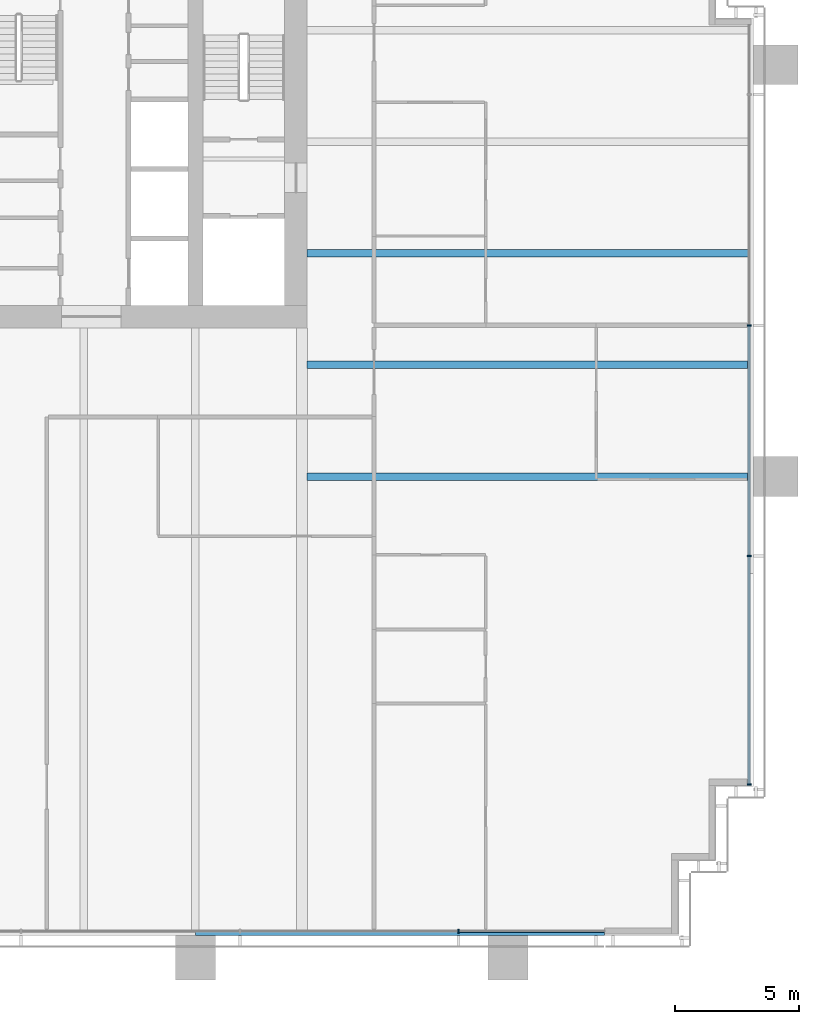
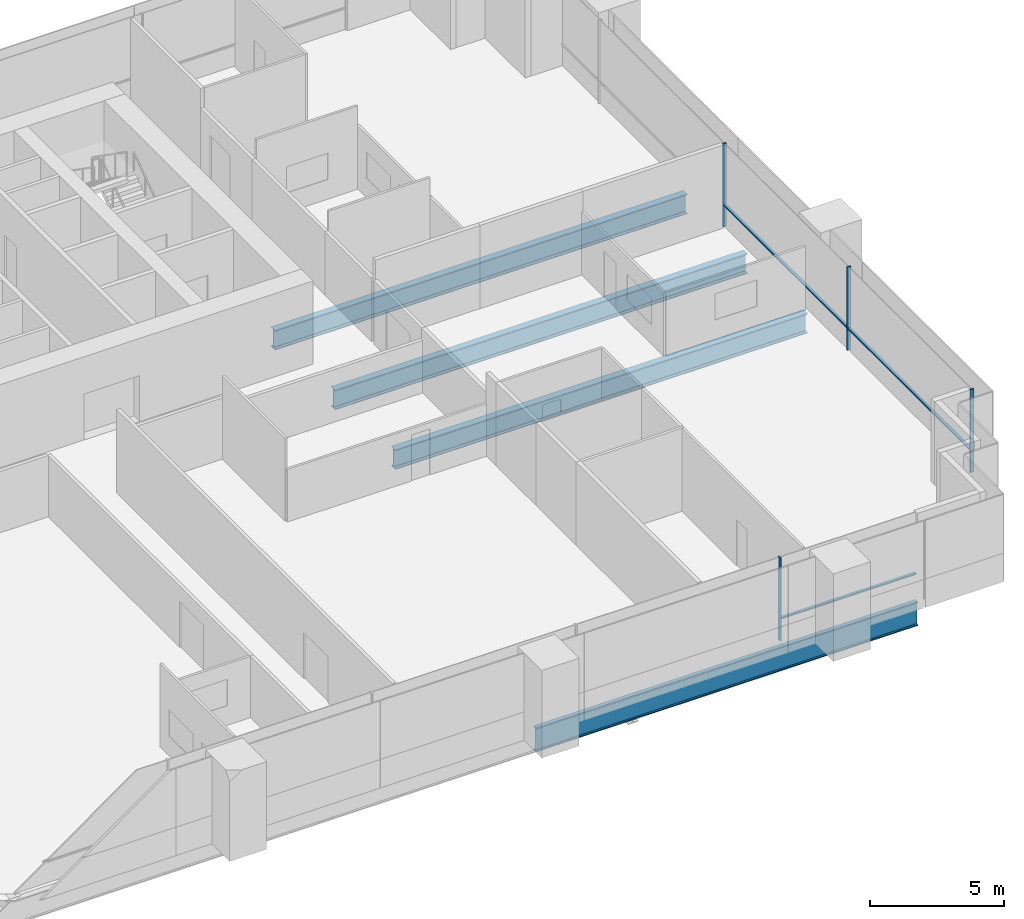
# One storey, part 6 of 19: 7 members, 4 beams, 2 elements without a shape of their own.
"""IFC4 building model written with IfcOpenShell, lengths in metres."""

from ifc_helpers import new_model, si_unit, direction, frame, origin, origin_2d, place, context, subcontext, project, spatial, rectangle, i_section, extrude, material, material_profile, profile_set, type_object, element, aggregate, save


model = new_model("IFC4")

# Units and contexts
model_context = context("Model", 3, precision=1e-05, world=origin(), true_north=direction((0.0, 1.0)))
body_context = subcontext(model_context, "Body", "Model", "MODEL_VIEW")
ifc_project = project(units=[si_unit("LENGTHUNIT", "METRE"), si_unit("AREAUNIT", "SQUARE_METRE"), si_unit("VOLUMEUNIT", "CUBIC_METRE"), si_unit("PLANEANGLEUNIT", "RADIAN"), si_unit("MASSUNIT", "GRAM", prefix="KILO")], contexts=[model_context])

# Site, building, storey
site_placement = place(None, origin())
site = spatial("IfcSite", under=ifc_project, at=site_placement, CompositionType="ELEMENT")
building_placement = place(site_placement, origin())
building = spatial("IfcBuilding", under=site, at=building_placement, Name="Rattan Terrace Tower", CompositionType="ELEMENT")
storey_placement = place(building_placement, frame((0.0, 0.0, 99.699951171875)))
storey = spatial("IfcBuildingStorey", under=building, at=storey_placement, Name="L22", CompositionType="ELEMENT", Elevation=99.699951171875)

# Curtain wall, members
ifc_material_1 = material(Name="Aluminium and glass", Category="aluminium")
curtain_wall_type = type_object("IfcCurtainWallType", Name="Facade Unitised Curtain Wall", PredefinedType="NOTDEFINED", material=ifc_material_1)
curtain_wall_1_placement = place(storey_placement, origin())
curtain_wall_1 = element("IfcCurtainWall", 1, at=curtain_wall_1_placement, inside=storey, type_object=curtain_wall_type, Name="Curtain wall L22-1", PredefinedType="NOTDEFINED")
ifc_material_2 = material(Name="Aluminium", Category="aluminium")
ifc_material_profile_1 = material_profile(ifc_material_2, rectangle(XDim=0.06005859375, YDim=0.159912109375, at=origin_2d()), Name="Aluminium 60x160")
ifc_profile_set_1 = profile_set([ifc_material_profile_1], Name="Aluminium")
member_type_1 = type_object("IfcMemberType", Name="Facade CW Mullion 60x160", PredefinedType="MULLION", material=ifc_profile_set_1)
member_1_placement = place(storey_placement, frame((35.830078125, -25.925048828125, 0.0), z_axis=(0.0, 0.0, 1.0), x_axis=(0.0, 1.0, 0.0)))
member_1 = element("IfcMember", 2, at=member_1_placement, type_object=member_type_1, Name="Mullion cwl-L22-001.1", PredefinedType="MULLION", context=body_context, shape_type="SweptSolid", body=[
    extrude(rectangle(XDim=0.06005859375, YDim=0.159912109375, at=origin_2d()), origin(), (0.0, 0.0, 1.0), 3.800048828125),
])
member_2_placement = place(storey_placement, frame((35.830078125, -16.699951171875, 0.0), z_axis=(0.0, 0.0, 1.0), x_axis=(0.0, 1.0, 0.0)))
member_2 = element("IfcMember", 3, at=member_2_placement, type_object=member_type_1, Name="Mullion cwl-L22-001.2", PredefinedType="MULLION", context=body_context, shape_type="SweptSolid", body=[
    extrude(rectangle(XDim=0.06005859375, YDim=0.159912109375, at=origin_2d()), origin(), (0.0, 0.0, 1.0), 3.800048828125),
])
member_3_placement = place(storey_placement, frame((35.830078125, -7.39990234375, 0.0), z_axis=(0.0, 0.0, 1.0), x_axis=(0.0, 1.0, 0.0)))
member_3 = element("IfcMember", 4, at=member_3_placement, type_object=member_type_1, Name="Mullion cwl-L22-001.3", PredefinedType="MULLION", context=body_context, shape_type="SweptSolid", body=[
    extrude(rectangle(XDim=0.06005859375, YDim=0.159912109375, at=origin_2d()), origin(), (0.0, 0.0, 1.0), 3.800048828125),
])

# Curtain wall, member
curtain_wall_2_placement = place(storey_placement, origin())
curtain_wall_2 = element("IfcCurtainWall", 5, at=curtain_wall_2_placement, inside=storey, type_object=curtain_wall_type, Name="Curtain wall L22-4", PredefinedType="NOTDEFINED")
member_4_placement = place(storey_placement, frame((24.114990234375, -31.830078125, 0.0), z_axis=(0.0, 0.0, 1.0), x_axis=(1.0, 0.0, 0.0)))
member_4 = element("IfcMember", 6, at=member_4_placement, type_object=member_type_1, Name="Mullion cwl-L22-004.6", PredefinedType="MULLION", context=body_context, shape_type="SweptSolid", body=[
    extrude(rectangle(XDim=0.06005859375, YDim=0.159912109375, at=origin_2d()), origin(), (0.0, 0.0, 1.0), 3.800048828125),
])

# Member
ifc_material_3 = material(Name="Aluminium", Category="aluminium")
ifc_material_profile_2 = material_profile(ifc_material_3, rectangle(XDim=0.1201171875, YDim=0.06005859375, at=origin_2d()), Name="Aluminium 120x60")
ifc_profile_set_2 = profile_set([ifc_material_profile_2], Name="Aluminium")
member_type_2 = type_object("IfcMemberType", Name="Facade CW Transom 120x60", PredefinedType="USERDEFINED", material=ifc_profile_set_2)
member_5_placement = place(storey_placement, frame((35.830078125, -25.89501953125, 1.0), z_axis=(0.0, 1.0, 0.0), x_axis=(-1.0, 0.0, 0.0)))
member_5 = element("IfcMember", 7, at=member_5_placement, type_object=member_type_2, Name="Transom cwl-L22-001.1", ObjectType="TRANSOM", PredefinedType="USERDEFINED", context=body_context, shape_type="SweptSolid", body=[
    extrude(rectangle(XDim=0.1201171875, YDim=0.06005859375, at=origin_2d()), origin(), (0.0, 0.0, 1.0), 9.1650390625),
])

member_6_placement = place(storey_placement, frame((35.830078125, -16.669921875, 1.0), z_axis=(0.0, 1.0, 0.0), x_axis=(-1.0, 0.0, 0.0)))
member_6 = element("IfcMember", 8, at=member_6_placement, type_object=member_type_2, Name="Transom cwl-L22-001.2", ObjectType="TRANSOM", PredefinedType="USERDEFINED", context=body_context, shape_type="SweptSolid", body=[
    extrude(rectangle(XDim=0.1201171875, YDim=0.06005859375, at=origin_2d()), origin(), (0.0, 0.0, 1.0), 9.239990234375),
])

aggregate(curtain_wall_1, [member_1, member_2, member_3, member_5, member_6])

member_7_placement = place(storey_placement, frame((24.14501953125, -31.830078125, 1.0), z_axis=(1.0, 0.0, 0.0), x_axis=(0.0, 1.0, 0.0)))
member_7 = element("IfcMember", 9, at=member_7_placement, type_object=member_type_2, Name="Transom cwl-L22-004.6", ObjectType="TRANSOM", PredefinedType="USERDEFINED", context=body_context, shape_type="SweptSolid", body=[
    extrude(rectangle(XDim=0.1201171875, YDim=0.06005859375, at=origin_2d()), origin(), (0.0, 0.0, 1.0), 5.85498046875),
])

aggregate(curtain_wall_2, [member_4, member_7])

# Beams
ifc_material_4 = material(Name="Steel S460", Category="steel")
ifc_material_profile_3 = material_profile(ifc_material_4, i_section(OverallWidth=0.179931640625, OverallDepth=1.10009765625, WebThickness=0.01611328125, FlangeThickness=0.050048828125, at=origin_2d()), Name="PG 1100x180-16-50")
ifc_profile_set_3 = profile_set([ifc_material_profile_3], Name="Steel S460")
beam_type_1 = type_object("IfcBeamType", Name="Frame edge girder PG 1100x180-16-50", PredefinedType="SPANDREL", material=ifc_profile_set_3)
beam_placement = place(storey_placement, frame((30.0, -31.909912109375, -0.75), z_axis=(-1.0, 0.0, 0.0), x_axis=(0.0, -1.0, 0.0)))
element("IfcBeam", 10, at=beam_placement, inside=storey, type_object=beam_type_1, Name="gdr-L22-003", PredefinedType="SPANDREL", context=body_context, shape_type="SweptSolid", body=[
    extrude(i_section(OverallWidth=0.179931640625, OverallDepth=1.10009765625, WebThickness=0.01611328125, FlangeThickness=0.050048828125, at=origin_2d()), origin(), (0.0, 0.0, 1.0), 16.5),
])
ifc_material_5 = material(Name="Steel S355", Category="steel")
ifc_material_profile_4 = material_profile(ifc_material_5, i_section(OverallWidth=0.300048828125, OverallDepth=0.89990234375, WebThickness=0.0185546875, FlangeThickness=0.034912109375, FilletRadius=0.030029296875, at=origin_2d()), Name="HE 900 B")
ifc_profile_set_4 = profile_set([ifc_material_profile_4], Name="Steel S355")
beam_type_2 = type_object("IfcBeamType", Name="Frame floor beam HE 900 B", PredefinedType="JOIST", material=ifc_profile_set_4)
for number, where, z_axis, x_axis, name in (
    (11, (18.0, -13.5, -0.64990234375), (1.0, 0.0, 0.0), (0.0, 1.0, 0.0), "bm-L22-010"),
    (12, (18.0, -9.0, -0.64990234375), (1.0, 0.0, 0.0), (0.0, 1.0, 0.0), "bm-L22-011"),
    (13, (18.0, -4.5, -0.64990234375), (1.0, 0.0, 0.0), (0.0, 1.0, 0.0), "bm-L22-013"),
):
    element("IfcBeam", number, at=place(storey_placement, frame(where, z_axis=z_axis, x_axis=x_axis)), inside=storey, type_object=beam_type_2, Name=name, PredefinedType="JOIST", context=body_context, shape_type="SweptSolid", body=[
        extrude(i_section(OverallWidth=0.300048828125, OverallDepth=0.89990234375, WebThickness=0.0185546875, FlangeThickness=0.034912109375, FilletRadius=0.030029296875, at=origin_2d()), origin(), (0.0, 0.0, 1.0), 17.820068359375),
    ])

save(model, "model.ifc")
